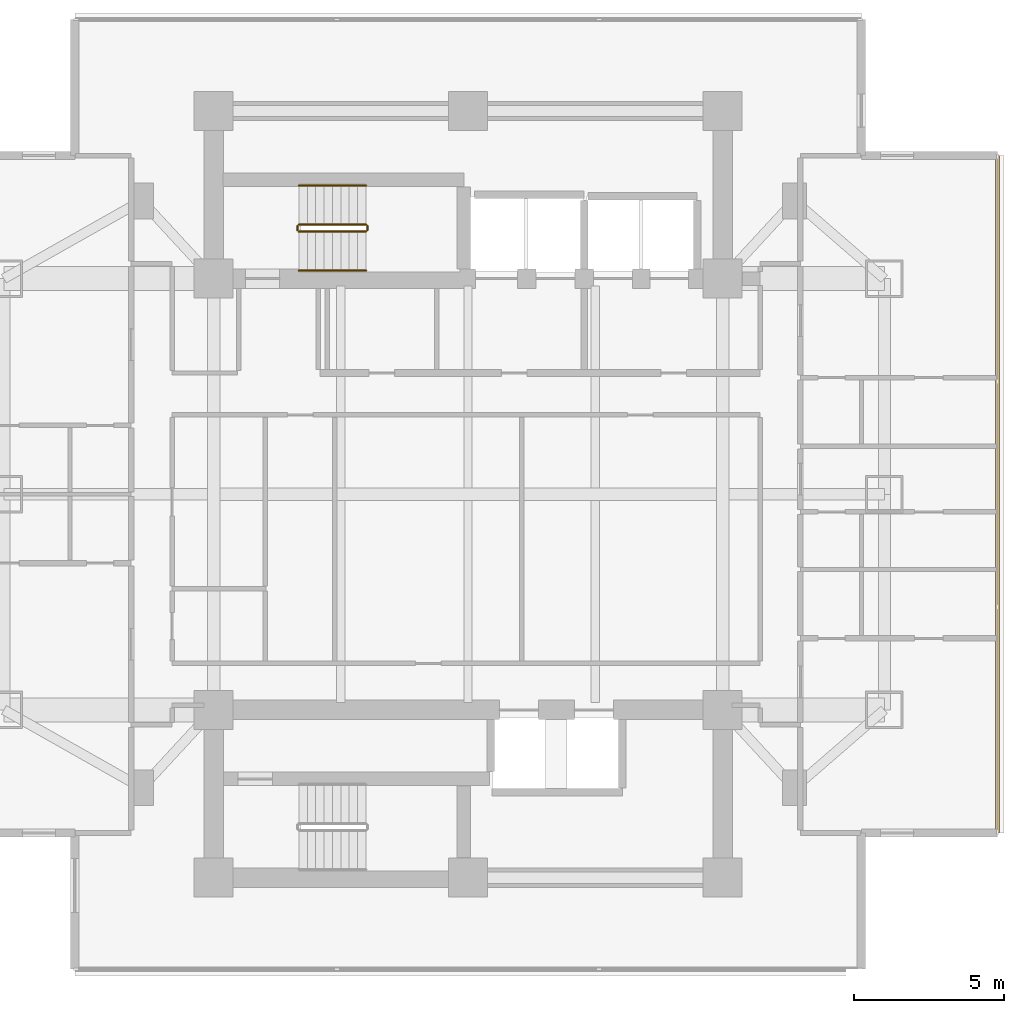
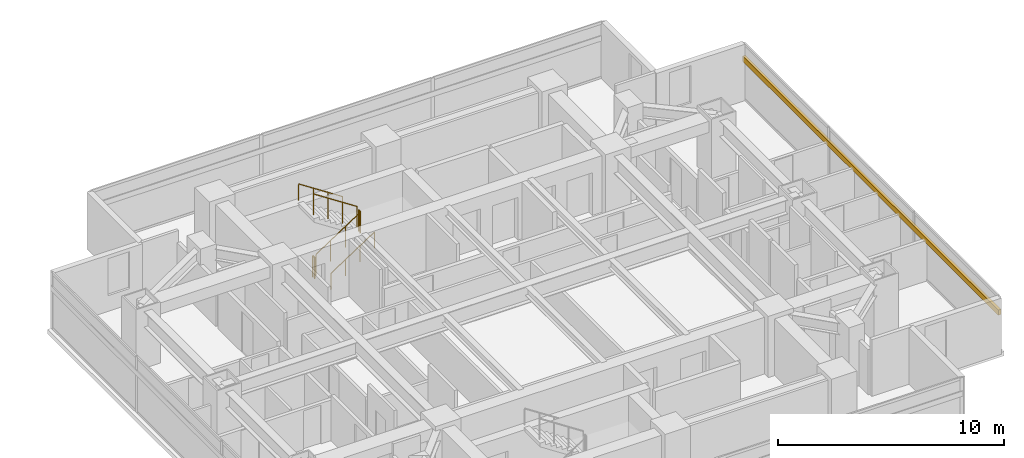
# One storey, part 26 of 27: 6 railings, 1 shading device.
"""IFC4 building model written with IfcOpenShell, lengths in metres."""

from ifc_helpers import new_model, si_unit, direction, frame, origin, origin_2d, place, context, subcontext, project, spatial, rectangle, circle, extrude, material, material_profile, profile_set, type_object, element, save


model = new_model("IFC4")

# Units and contexts
model_context = context("Model", 3, precision=1e-05, world=origin(), true_north=direction((0.0, 1.0)))
body_context = subcontext(model_context, "Body", "Model", "MODEL_VIEW")
ifc_project = project(units=[si_unit("LENGTHUNIT", "METRE"), si_unit("AREAUNIT", "SQUARE_METRE"), si_unit("VOLUMEUNIT", "CUBIC_METRE"), si_unit("PLANEANGLEUNIT", "RADIAN"), si_unit("MASSUNIT", "GRAM", prefix="KILO")], contexts=[model_context])

# Site, building, storey
site_placement = place(None, origin())
site = spatial("IfcSite", under=ifc_project, at=site_placement, CompositionType="ELEMENT")
building_placement = place(site_placement, origin())
building = spatial("IfcBuilding", under=site, at=building_placement, Name="Mirazonda Arch Towers", CompositionType="ELEMENT")
storey_placement = place(building_placement, frame((0.0, 0.0, 55.39990234375)))
storey = spatial("IfcBuildingStorey", under=building, at=storey_placement, Name="L15", CompositionType="ELEMENT", Elevation=55.39990234375)

# Shading device
ifc_material_1 = material(Name="Kiln-Fired Architectural Terracotta", Category="masonry")
ifc_material_profile = material_profile(ifc_material_1, rectangle(XDim=0.139892578125, YDim=0.280029296875, at=origin_2d()), Name="TERRA-BAG-140x280")
ifc_profile_set = profile_set([ifc_material_profile], Name="Kiln-Fired Architectural Terracotta")
shading_device_type = type_object("IfcShadingDeviceType", Name="BAGUETTE-3", PredefinedType="USERDEFINED", material=ifc_profile_set)
shading_device_placement = place(storey_placement, frame((94.177978515625, 16.686767578125, 2.18896484375), z_axis=(0.0, 1.0, 0.0), x_axis=(-1.0, 0.0, 0.0)))
element("IfcShadingDevice", 1, at=shading_device_placement, inside=storey, type_object=shading_device_type, Name="L15 Glazed Terracotta Sun-Screen Baguette CW-L15-T2-E", ObjectType="BAGUETTE", PredefinedType="USERDEFINED", context=body_context, shape_type="SweptSolid", body=[
    extrude(rectangle(XDim=0.139892578125, YDim=0.280029296875, at=origin_2d()), origin(), (0.0, 0.0, 1.0), 22.62646484375),
])

# Railings
ifc_material_2 = material(Name="Architectural Brushed Steel S355", Category="steel")
railing_type_1 = type_object("IfcRailingType", Name="GUARD-STAIR-1120", PredefinedType="GUARDRAIL", material=ifc_material_2)
railing_1_placement = place(storey_placement, frame((70.85009765625, 36.77001953125, 0.183349609375)))
element("IfcRailing", 2, at=railing_1_placement, inside=storey, type_object=railing_type_1, Name="L15 ST-T2N stair guard 1", PredefinedType="GUARDRAIL", context=body_context, shape_type="SweptSolid", body=[
    extrude(circle(Radius=0.02392578125, at=origin_2d()), frame((0.0, 0.0, 1.1259765625), z_axis=(0.836595146698, 0.0, 0.547821650285), x_axis=(0.0, 1.0, 0.0)), (0.0, 0.0, 1.0), 2.677490234375),
    extrude(circle(Radius=0.02099609375, at=origin_2d()), origin(), (0.0, 0.0, 1.0), 1.101806640625),
    extrude(circle(Radius=0.02099609375, at=origin_2d()), frame((0.74658203125, 0.0, 0.489013671875)), (0.0, 0.0, 1.0), 1.101806640625),
    extrude(circle(Radius=0.02099609375, at=origin_2d()), frame((1.493408203125, 0.0, 0.977783203125)), (0.0, 0.0, 1.0), 1.101806640625),
    extrude(circle(Radius=0.02099609375, at=origin_2d()), frame((2.239990234375, 0.0, 1.466796875)), (0.0, 0.0, 1.0), 1.101806640625),
])
railing_2_placement = place(storey_placement, frame((73.139892578125, 36.820068359375, 1.650146484375)))
element("IfcRailing", 3, at=railing_2_placement, inside=storey, type_object=railing_type_1, Name="L15 ST-T2N stair guard 2", PredefinedType="GUARDRAIL", context=body_context, shape_type="SweptSolid", body=[
    extrude(circle(Radius=0.02392578125, at=origin_2d()), frame((0.0, 0.0, 1.1259765625), z_axis=(0.0, 1.0, 0.0), x_axis=(-1.0, 0.0, 0.0)), (0.0, 0.0, 1.0), 0.139892578125),
    extrude(circle(Radius=0.02099609375, at=origin_2d()), origin(), (0.0, 0.0, 1.0), 1.101806640625),
    extrude(circle(Radius=0.02099609375, at=origin_2d()), frame((0.0, 0.139892578125, 0.0)), (0.0, 0.0, 1.0), 1.101806640625),
])
railing_3_placement = place(storey_placement, frame((73.090087890625, 37.010009765625, 1.83349609375)))
element("IfcRailing", 4, at=railing_3_placement, inside=storey, type_object=railing_type_1, Name="L15 ST-T2N stair guard 3", PredefinedType="GUARDRAIL", context=body_context, shape_type="SweptSolid", body=[
    extrude(circle(Radius=0.02392578125, at=origin_2d()), frame((0.0, 0.0, 1.1259765625), z_axis=(-0.836636935527, 0.0, 0.547757827979), x_axis=(0.0, -1.0, 0.0)), (0.0, 0.0, 1.0), 2.677490234375),
    extrude(circle(Radius=0.02099609375, at=origin_2d()), origin(), (0.0, 0.0, 1.0), 1.101806640625),
    extrude(circle(Radius=0.02099609375, at=origin_2d()), frame((-0.74658203125, 0.0, 0.48876953125)), (0.0, 0.0, 1.0), 1.101806640625),
    extrude(circle(Radius=0.02099609375, at=origin_2d()), frame((-1.493408203125, 0.0, 0.977783203125)), (0.0, 0.0, 1.0), 1.101806640625),
    extrude(circle(Radius=0.02099609375, at=origin_2d()), frame((-2.239990234375, 0.0, 1.466552734375)), (0.0, 0.0, 1.0), 1.101806640625),
])
railing_4_placement = place(storey_placement, frame((70.800048828125, 36.820068359375, 0.0)))
element("IfcRailing", 5, at=railing_4_placement, inside=storey, type_object=railing_type_1, Name="L15 ST-T2N stair guard 4", PredefinedType="GUARDRAIL", context=body_context, shape_type="SweptSolid", body=[
    extrude(circle(Radius=0.02392578125, at=origin_2d()), frame((0.0, 0.0, 1.1259765625), z_axis=(0.0, 1.0, 0.0), x_axis=(-1.0, 0.0, 0.0)), (0.0, 0.0, 1.0), 0.139892578125),
    extrude(circle(Radius=0.02099609375, at=origin_2d()), origin(), (0.0, 0.0, 1.0), 1.101806640625),
    extrude(circle(Radius=0.02099609375, at=origin_2d()), frame((0.0, 0.139892578125, 0.0)), (0.0, 0.0, 1.0), 1.101806640625),
])
railing_type_2 = type_object("IfcRailingType", Name="HANDRAIL-915", PredefinedType="HANDRAIL", material=ifc_material_2)
railing_5_placement = place(storey_placement, frame((70.85009765625, 35.469970703125, 0.183349609375)))
element("IfcRailing", 6, at=railing_5_placement, inside=storey, type_object=railing_type_2, Name="L15 ST-T2N stair handrail 1", PredefinedType="HANDRAIL", context=body_context, shape_type="SweptSolid", body=[
    extrude(circle(Radius=0.02392578125, at=origin_2d()), frame((0.0, 0.0, 0.8759765625), z_axis=(0.836595146698, 0.0, 0.547821650285), x_axis=(0.0, 1.0, 0.0)), (0.0, 0.0, 1.0), 2.677490234375),
    extrude(circle(Radius=0.02099609375, at=origin_2d()), origin(), (0.0, 0.0, 1.0), 0.851806640625),
    extrude(circle(Radius=0.02099609375, at=origin_2d()), frame((0.74658203125, 0.0, 0.489013671875)), (0.0, 0.0, 1.0), 0.851806640625),
    extrude(circle(Radius=0.02099609375, at=origin_2d()), frame((1.493408203125, 0.0, 0.977783203125)), (0.0, 0.0, 1.0), 0.851806640625),
    extrude(circle(Radius=0.02099609375, at=origin_2d()), frame((2.239990234375, 0.0, 1.466796875)), (0.0, 0.0, 1.0), 0.851806640625),
])
railing_6_placement = place(storey_placement, frame((73.090087890625, 38.31005859375, 1.83349609375)))
element("IfcRailing", 7, at=railing_6_placement, inside=storey, type_object=railing_type_2, Name="L15 ST-T2N stair handrail 2", PredefinedType="HANDRAIL", context=body_context, shape_type="SweptSolid", body=[
    extrude(circle(Radius=0.02392578125, at=origin_2d()), frame((0.0, 0.0, 0.8759765625), z_axis=(-0.836636935527, 0.0, 0.547757827979), x_axis=(0.0, -1.0, 0.0)), (0.0, 0.0, 1.0), 2.677490234375),
    extrude(circle(Radius=0.02099609375, at=origin_2d()), origin(), (0.0, 0.0, 1.0), 0.851806640625),
    extrude(circle(Radius=0.02099609375, at=origin_2d()), frame((-0.74658203125, 0.0, 0.48876953125)), (0.0, 0.0, 1.0), 0.851806640625),
    extrude(circle(Radius=0.02099609375, at=origin_2d()), frame((-1.493408203125, 0.0, 0.977783203125)), (0.0, 0.0, 1.0), 0.851806640625),
    extrude(circle(Radius=0.02099609375, at=origin_2d()), frame((-2.239990234375, 0.0, 1.466552734375)), (0.0, 0.0, 1.0), 0.851806640625),
])

save(model, "model.ifc")
